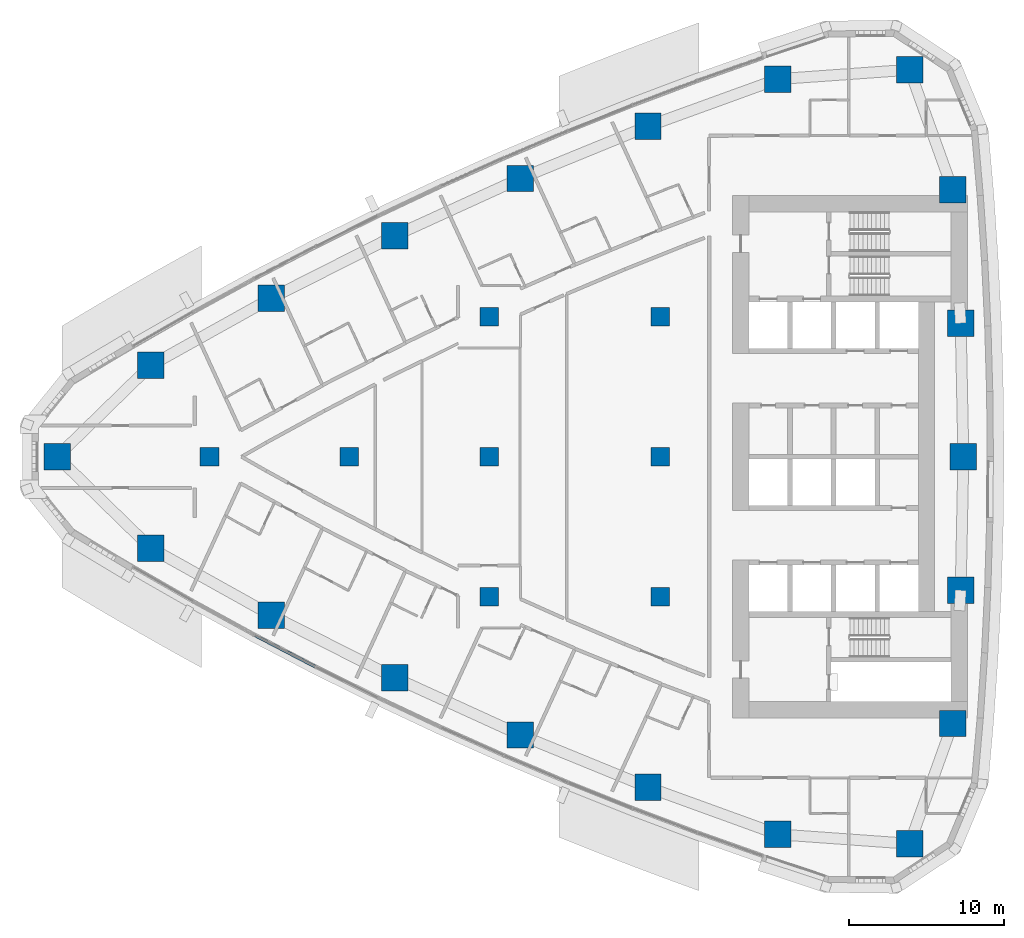
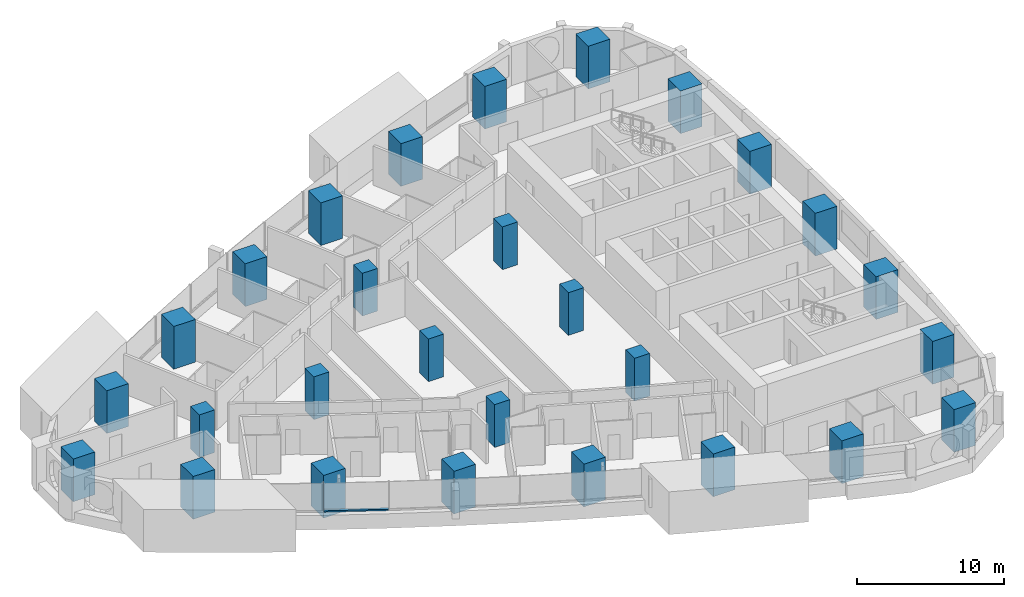
# One storey, part 1 of 17: 28 columns, 1 member, 1 element without a shape of its own.
"""IFC4 building model written with IfcOpenShell, lengths in metres."""

from ifc_helpers import new_model, si_unit, direction, frame, origin, origin_2d, place, context, subcontext, project, spatial, rectangle, extrude, material, layer, layer_set, material_profile, profile_set, type_object, element, aggregate, save


model = new_model("IFC4")

# Units and contexts
model_context = context("Model", 3, precision=1e-05, world=origin(), true_north=direction((0.0, 1.0)))
body_context = subcontext(model_context, "Body", "Model", "MODEL_VIEW")
ifc_project = project(units=[si_unit("LENGTHUNIT", "METRE"), si_unit("AREAUNIT", "SQUARE_METRE"), si_unit("VOLUMEUNIT", "CUBIC_METRE"), si_unit("PLANEANGLEUNIT", "RADIAN"), si_unit("MASSUNIT", "GRAM", prefix="KILO")], contexts=[model_context])

# Site, building, storey
site_placement = place(None, origin())
site = spatial("IfcSite", under=ifc_project, at=site_placement, CompositionType="ELEMENT")
building_placement = place(site_placement, origin())
building = spatial("IfcBuilding", under=site, at=building_placement, Name="Ostrand Prow Hotel Tower", CompositionType="ELEMENT")
storey_placement = place(building_placement, frame((0.0, 0.0, 109.75)))
storey = spatial("IfcBuildingStorey", under=building, at=storey_placement, Name="L26", CompositionType="ELEMENT", Elevation=109.75)

# Columns
ifc_material_1 = material(Name="Concrete C80/95", Category="concrete")
ifc_material_profile_1 = material_profile(ifc_material_1, rectangle(XDim=1.199951171875, YDim=1.199951171875, at=origin_2d()), Name="RC 1200x1200")
ifc_profile_set_1 = profile_set([ifc_material_profile_1], Name="Concrete C80/95")
column_type_1 = type_object("IfcColumnType", Name="Interior column 1200x1200 C80/95", PredefinedType="COLUMN", material=ifc_profile_set_1)
for number, where, z_axis, x_axis, name in (
    (1, (16.0, 0.0, 0.0), (0.0, 0.0, 1.0), (1.0, 0.0, 0.0), "Interior column 16C0"),
    (2, (25.0, 0.0, 0.0), (0.0, 0.0, 1.0), (1.0, 0.0, 0.0), "Interior column 25C0"),
    (3, (34.0, -9.0, 0.0), (0.0, 0.0, 1.0), (1.0, 0.0, 0.0), "Interior column 34S9"),
    (4, (34.0, 0.0, 0.0), (0.0, 0.0, 1.0), (1.0, 0.0, 0.0), "Interior column 34C0"),
    (5, (34.0, 9.0, 0.0), (0.0, 0.0, 1.0), (1.0, 0.0, 0.0), "Interior column 34N9"),
    (6, (45.0, -9.0, 0.0), (0.0, 0.0, 1.0), (1.0, 0.0, 0.0), "Interior column 45S9"),
    (7, (45.0, 0.0, 0.0), (0.0, 0.0, 1.0), (1.0, 0.0, 0.0), "Interior column 45C0"),
    (8, (45.0, 9.0, 0.0), (0.0, 0.0, 1.0), (1.0, 0.0, 0.0), "Interior column 45N9"),
):
    element("IfcColumn", number, at=place(storey_placement, frame(where, z_axis=z_axis, x_axis=x_axis)), inside=storey, type_object=column_type_1, Name=name, PredefinedType="COLUMN", context=body_context, shape_type="SweptSolid", body=[
        extrude(rectangle(XDim=1.199951171875, YDim=1.199951171875, at=origin_2d()), origin(), (0.0, 0.0, 1.0), 3.550048828125),
    ])
ifc_material_2 = material(Name="Concrete C80/95", Category="concrete")
ifc_material_profile_2 = material_profile(ifc_material_2, rectangle(XDim=1.699951171875, YDim=1.699951171875, at=origin_2d()), Name="RC 1700x1700")
ifc_profile_set_2 = profile_set([ifc_material_profile_2], Name="Concrete C80/95")
column_type_2 = type_object("IfcColumnType", Name="Stone-faced mega column 1700x1700 C80/95", PredefinedType="COLUMN", material=ifc_profile_set_2)
for number, where, z_axis, x_axis, name in (
    (9, (6.193115234375, 0.0, 0.0), (0.0, 0.0, 1.0), (1.0, 0.0, 0.0), "Mega column P"),
    (10, (12.221435546875, -5.876220703125, 0.0), (0.0, 0.0, 1.0), (1.0, 0.0, 0.0), "Mega column S1"),
    (11, (19.980712890625, -10.20166015625, 0.0), (0.0, 0.0, 1.0), (1.0, 0.0, 0.0), "Mega column S2"),
    (12, (27.906982421875, -14.212158203125, 0.0), (0.0, 0.0, 1.0), (1.0, 0.0, 0.0), "Mega column S3"),
    (13, (35.98828125, -17.901611328125, 0.0), (0.0, 0.0, 1.0), (1.0, 0.0, 0.0), "Mega column S4"),
    (14, (44.210693359375, -21.263671875, 0.0), (0.0, 0.0, 1.0), (1.0, 0.0, 0.0), "Mega column S5"),
    (15, (52.561767578125, -24.29296875, 0.0), (0.0, 0.0, 1.0), (1.0, 0.0, 0.0), "Mega column S6"),
    (16, (61.0400390625, -24.89697265625, 0.0), (0.0, 0.0, 1.0), (1.0, 0.0, 0.0), "Mega column SE"),
    (17, (63.815673828125, -17.16357421875, 0.0), (0.0, 0.0, 1.0), (1.0, 0.0, 0.0), "Mega column B1"),
    (18, (64.328857421875, -8.588623046875, 0.0), (0.0, 0.0, 1.0), (1.0, 0.0, 0.0), "Mega column B2"),
    (19, (64.5, 0.0, 0.0), (0.0, 0.0, 1.0), (1.0, 0.0, 0.0), "Mega column B3"),
    (20, (64.328857421875, 8.588623046875, 0.0), (0.0, 0.0, 1.0), (1.0, 0.0, 0.0), "Mega column B4"),
    (21, (63.815673828125, 17.16357421875, 0.0), (0.0, 0.0, 1.0), (1.0, 0.0, 0.0), "Mega column B5"),
    (22, (61.0400390625, 24.89697265625, 0.0), (0.0, 0.0, 1.0), (1.0, 0.0, 0.0), "Mega column NE"),
    (23, (52.561767578125, 24.29296875, 0.0), (0.0, 0.0, 1.0), (1.0, 0.0, 0.0), "Mega column N1"),
    (24, (44.210693359375, 21.263671875, 0.0), (0.0, 0.0, 1.0), (1.0, 0.0, 0.0), "Mega column N2"),
    (25, (35.98828125, 17.901611328125, 0.0), (0.0, 0.0, 1.0), (1.0, 0.0, 0.0), "Mega column N3"),
    (26, (27.906982421875, 14.212158203125, 0.0), (0.0, 0.0, 1.0), (1.0, 0.0, 0.0), "Mega column N4"),
    (27, (19.980712890625, 10.20166015625, 0.0), (0.0, 0.0, 1.0), (1.0, 0.0, 0.0), "Mega column N5"),
    (28, (12.221435546875, 5.876220703125, 0.0), (0.0, 0.0, 1.0), (1.0, 0.0, 0.0), "Mega column N6"),
):
    element("IfcColumn", number, at=place(storey_placement, frame(where, z_axis=z_axis, x_axis=x_axis)), inside=storey, type_object=column_type_2, Name=name, PredefinedType="COLUMN", context=body_context, shape_type="SweptSolid", body=[
        extrude(rectangle(XDim=1.699951171875, YDim=1.699951171875, at=origin_2d()), origin(), (0.0, 0.0, 1.0), 3.550048828125),
    ])

# Curtain wall, member
ifc_material_3 = material(Name="Insulated glass in bronze anodised frame", Category="glass")
ifc_layer = layer(ifc_material_3, 0.199951171875)
ifc_layer_set = layer_set([ifc_layer], Name="Insulated glass in bronze anodised frame")
curtain_wall_type = type_object("IfcCurtainWallType", Name="Strip curtain wall, fritted glass over bronze spandrel", PredefinedType="NOTDEFINED", material=ifc_layer_set)
curtain_wall_placement = place(storey_placement, origin())
curtain_wall = element("IfcCurtainWall", 29, at=curtain_wall_placement, inside=storey, type_object=curtain_wall_type, Name="CW1 run CWS2", PredefinedType="NOTDEFINED")
ifc_material_4 = material(Name="Bronze anodised aluminium", Category="aluminium")
ifc_material_profile_3 = material_profile(ifc_material_4, rectangle(XDim=0.199951171875, YDim=0.1201171875, at=origin_2d()), Name="Transom 120x200 bronze anodised aluminium")
ifc_profile_set_3 = profile_set([ifc_material_profile_3], Name="Bronze anodised aluminium")
member_type = type_object("IfcMemberType", Name="Transom 120x200 bronze anodised aluminium", PredefinedType="USERDEFINED", material=ifc_profile_set_3)
member_placement = place(storey_placement, frame((18.89697265625, -11.475830078125, 0.9599609375), z_axis=(0.886901787206, -0.461958028235, 0.0), x_axis=(0.461958028235, 0.886901787206, 0.0)))
member = element("IfcMember", 30, at=member_placement, type_object=member_type, Name="CW1 transom 1.1", ObjectType="TRANSOM", PredefinedType="USERDEFINED", context=body_context, shape_type="SweptSolid", body=[
    extrude(rectangle(XDim=0.199951171875, YDim=0.1201171875, at=origin_2d()), origin(), (0.0, 0.0, 1.0), 4.406005859375),
])
aggregate(curtain_wall, [member])

save(model, "model.ifc")
